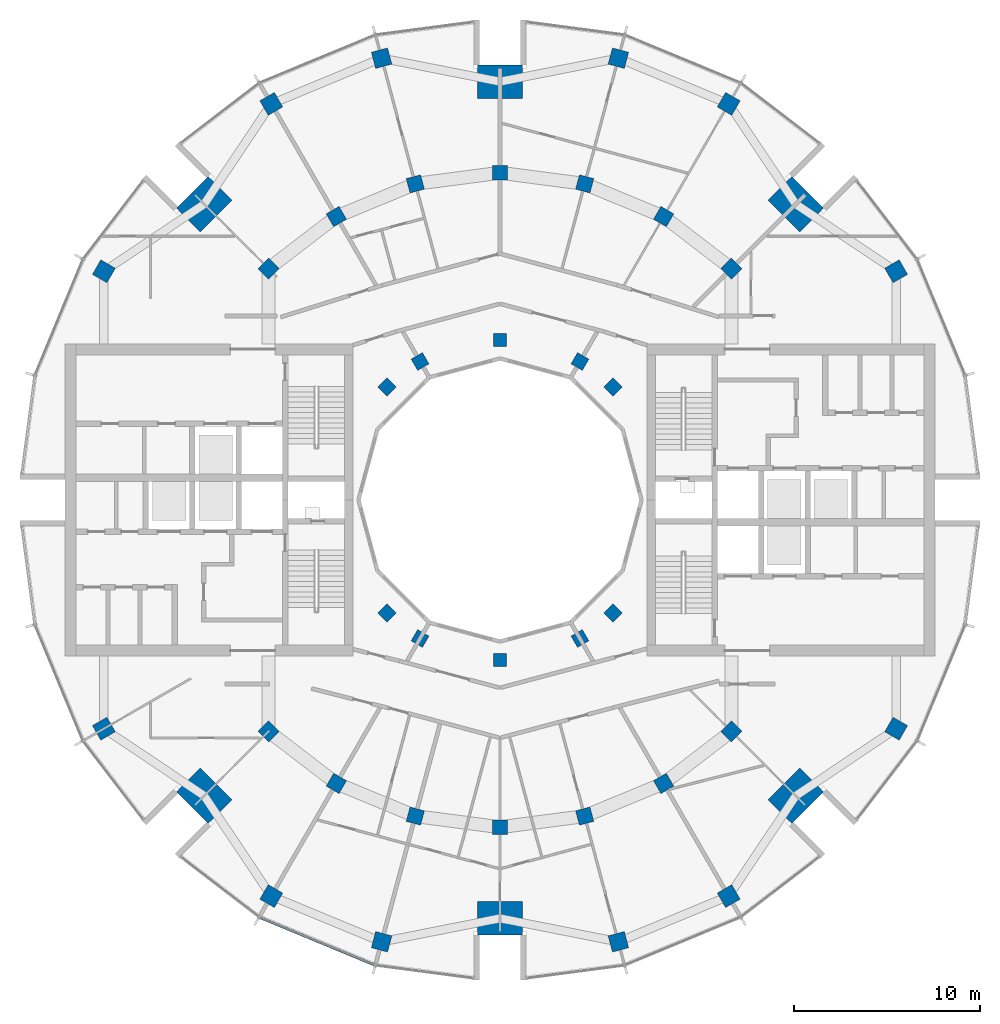
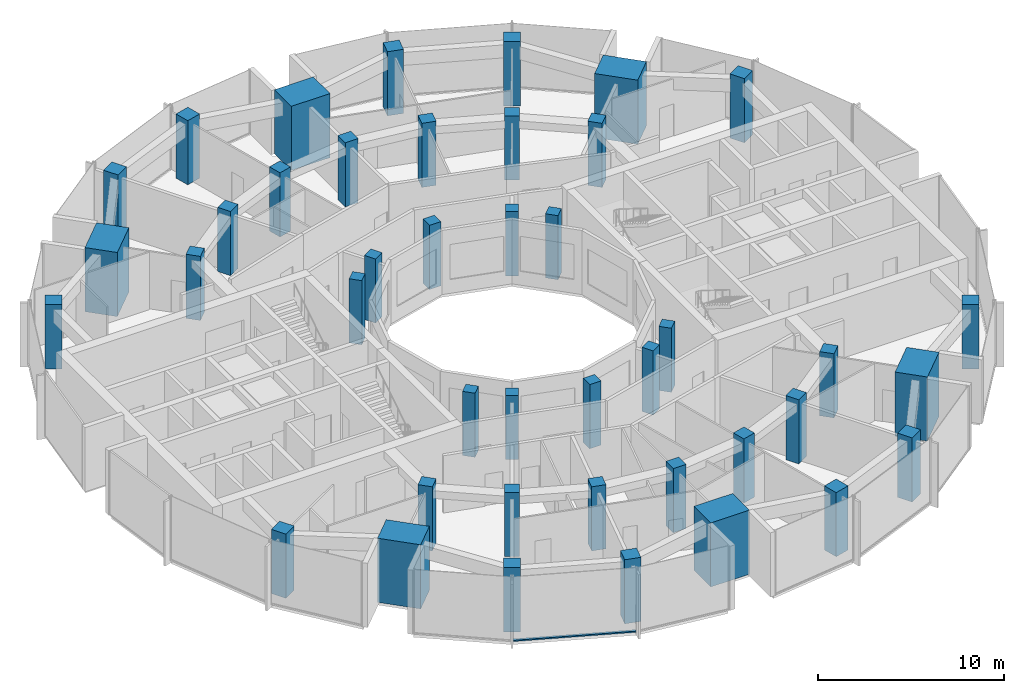
# One storey, part 1 of 15: 42 columns, 1 member, 1 element without a shape of its own.
"""IFC4 building model written with IfcOpenShell, lengths in metres."""

from ifc_helpers import new_model, si_unit, direction, frame, origin, origin_2d, place, context, subcontext, project, spatial, rectangle, extrude, material, layer, layer_set, material_profile, profile_set, type_object, element, aggregate, save


model = new_model("IFC4")

# Units and contexts
model_context = context("Model", 3, precision=1e-05, world=origin(), true_north=direction((0.0, 1.0)))
body_context = subcontext(model_context, "Body", "Model", "MODEL_VIEW")
ifc_project = project(units=[si_unit("LENGTHUNIT", "METRE"), si_unit("AREAUNIT", "SQUARE_METRE"), si_unit("VOLUMEUNIT", "CUBIC_METRE"), si_unit("PLANEANGLEUNIT", "RADIAN"), si_unit("MASSUNIT", "GRAM", prefix="KILO")], contexts=[model_context])

# Site, building, storey
site_placement = place(None, origin())
site = spatial("IfcSite", under=ifc_project, at=site_placement, CompositionType="ELEMENT")
building_placement = place(site_placement, origin())
building = spatial("IfcBuilding", under=site, at=building_placement, Name="Torre Brocal", CompositionType="ELEMENT")
storey_placement = place(building_placement, frame((0.0, 0.0, 216.699951171875)))
storey = spatial("IfcBuildingStorey", under=building, at=storey_placement, Name="L50", CompositionType="ELEMENT", Elevation=216.699951171875)

# Columns
ifc_material_1 = material(Name="Concrete C60", Category="concrete")
ifc_material_profile_1 = material_profile(ifc_material_1, rectangle(XDim=1.800048828125, YDim=2.39990234375, at=origin_2d()), Name="RC 1800X2400")
ifc_profile_set_1 = profile_set([ifc_material_profile_1], Name="Concrete C60")
column_type_1 = type_object("IfcColumnType", Name="RC COLUMN 1800X2400 C60", PredefinedType="COLUMN", material=ifc_profile_set_1)
for number, where, z_axis, x_axis, name in (
    (1, (95.909912109375, 90.909912109375, 0.0), (0.0, 0.0, 1.0), (0.707106781187, 0.707106781187, 0.0), "Column MC-1"),
    (2, (80.0, 97.5, 0.0), (0.0, 0.0, 1.0), (0.0, 1.0, 0.0), "Column MC-2"),
    (3, (64.090087890625, 90.909912109375, 0.0), (0.0, 0.0, 1.0), (-0.707106781187, 0.707106781187, 0.0), "Column MC-3"),
    (4, (64.090087890625, 59.090087890625, 0.0), (0.0, 0.0, 1.0), (-0.707106781187, -0.707106781187, 0.0), "Column MC-5"),
    (5, (80.0, 52.5, 0.0), (0.0, 0.0, 1.0), (0.0, -1.0, 0.0), "Column MC-6"),
    (6, (95.909912109375, 59.090087890625, 0.0), (0.0, 0.0, 1.0), (0.707106781187, -0.707106781187, 0.0), "Column MC-7"),
):
    element("IfcColumn", number, at=place(storey_placement, frame(where, z_axis=z_axis, x_axis=x_axis)), inside=storey, type_object=column_type_1, Name=name, PredefinedType="COLUMN", context=body_context, shape_type="SweptSolid", body=[
        extrude(rectangle(XDim=1.800048828125, YDim=2.39990234375, at=origin_2d()), origin(), (0.0, 0.0, 1.0), 4.199951171875),
    ])
ifc_material_2 = material(Name="Concrete C60", Category="concrete")
ifc_material_profile_2 = material_profile(ifc_material_2, rectangle(XDim=0.699951171875, YDim=0.699951171875, at=origin_2d()), Name="RC 700X700")
ifc_profile_set_2 = profile_set([ifc_material_profile_2], Name="Concrete C60")
column_type_2 = type_object("IfcColumnType", Name="RC COLUMN 700X700 C60", PredefinedType="COLUMN", material=ifc_profile_set_2)
for number, where, z_axis, x_axis, name in (
    (7, (86.0810546875, 81.0810546875, 0.0), (0.0, 0.0, 1.0), (0.707106781187, 0.707106781187, 0.0), "Column C-I03"),
    (8, (84.300048828125, 82.44775390625, 0.0), (0.0, 0.0, 1.0), (0.5, 0.866025403784, 0.0), "Column C-I04"),
    (9, (80.0, 83.60009765625, 0.0), (0.0, 0.0, 1.0), (0.0, 1.0, 0.0), "Column C-I06"),
    (10, (75.699951171875, 82.44775390625, 0.0), (0.0, 0.0, 1.0), (-0.5, 0.866025403784, 0.0), "Column C-I08"),
    (11, (73.9189453125, 81.0810546875, 0.0), (0.0, 0.0, 1.0), (-0.707106781187, 0.707106781187, 0.0), "Column C-I09"),
    (12, (73.9189453125, 68.9189453125, 0.0), (0.0, 0.0, 1.0), (-0.707106781187, -0.707106781187, 0.0), "Column C-I15"),
    (13, (75.699951171875, 67.55224609375, 0.0), (0.0, 0.0, 1.0), (-0.5, -0.866025403784, 0.0), "Column C-I16"),
    (14, (80.0, 66.39990234375, 0.0), (0.0, 0.0, 1.0), (0.0, -1.0, 0.0), "Column C-I18"),
    (15, (84.300048828125, 67.55224609375, 0.0), (0.0, 0.0, 1.0), (0.5, -0.866025403784, 0.0), "Column C-I20"),
    (16, (86.0810546875, 68.9189453125, 0.0), (0.0, 0.0, 1.0), (0.707106781187, -0.707106781187, 0.0), "Column C-I21"),
):
    element("IfcColumn", number, at=place(storey_placement, frame(where, z_axis=z_axis, x_axis=x_axis)), inside=storey, type_object=column_type_2, Name=name, PredefinedType="COLUMN", context=body_context, shape_type="SweptSolid", body=[
        extrude(rectangle(XDim=0.699951171875, YDim=0.699951171875, at=origin_2d()), origin(), (0.0, 0.0, 1.0), 4.199951171875),
    ])
ifc_material_3 = material(Name="Concrete C60", Category="concrete")
ifc_material_profile_3 = material_profile(ifc_material_3, rectangle(XDim=0.800048828125, YDim=0.800048828125, at=origin_2d()), Name="RC 800X800")
ifc_profile_set_3 = profile_set([ifc_material_profile_3], Name="Concrete C60")
column_type_3 = type_object("IfcColumnType", Name="RC COLUMN 800X800 C60", PredefinedType="COLUMN", material=ifc_profile_set_3)
for number, where, z_axis, x_axis, name in (
    (17, (92.445068359375, 87.445068359375, 0.0), (0.0, 0.0, 1.0), (0.707106781187, 0.707106781187, 0.0), "Column C-M03"),
    (18, (88.800048828125, 90.241943359375, 0.0), (0.0, 0.0, 1.0), (0.5, 0.866025403784, 0.0), "Column C-M04"),
    (19, (84.55517578125, 92.000244140625, 0.0), (0.0, 0.0, 1.0), (0.258819045103, 0.965925826289, 0.0), "Column C-M05"),
    (20, (80.0, 92.60009765625, 0.0), (0.0, 0.0, 1.0), (0.0, 1.0, 0.0), "Column C-M06"),
    (21, (75.44482421875, 92.000244140625, 0.0), (0.0, 0.0, 1.0), (-0.258819045103, 0.965925826289, 0.0), "Column C-M07"),
    (22, (71.199951171875, 90.241943359375, 0.0), (0.0, 0.0, 1.0), (-0.5, 0.866025403784, 0.0), "Column C-M08"),
    (23, (67.554931640625, 87.445068359375, 0.0), (0.0, 0.0, 1.0), (-0.707106781187, 0.707106781187, 0.0), "Column C-M09"),
    (24, (67.554931640625, 62.554931640625, 0.0), (0.0, 0.0, 1.0), (-0.707106781187, -0.707106781187, 0.0), "Column C-M15"),
    (25, (71.199951171875, 59.758056640625, 0.0), (0.0, 0.0, 1.0), (-0.5, -0.866025403784, 0.0), "Column C-M16"),
    (26, (75.44482421875, 57.999755859375, 0.0), (0.0, 0.0, 1.0), (-0.258819045103, -0.965925826289, 0.0), "Column C-M17"),
    (27, (80.0, 57.39990234375, 0.0), (0.0, 0.0, 1.0), (0.0, -1.0, 0.0), "Column C-M18"),
    (28, (84.55517578125, 57.999755859375, 0.0), (0.0, 0.0, 1.0), (0.258819045103, -0.965925826289, 0.0), "Column C-M19"),
    (29, (88.800048828125, 59.758056640625, 0.0), (0.0, 0.0, 1.0), (0.5, -0.866025403784, 0.0), "Column C-M20"),
    (30, (92.445068359375, 62.554931640625, 0.0), (0.0, 0.0, 1.0), (0.707106781187, -0.707106781187, 0.0), "Column C-M21"),
):
    element("IfcColumn", number, at=place(storey_placement, frame(where, z_axis=z_axis, x_axis=x_axis)), inside=storey, type_object=column_type_3, Name=name, PredefinedType="COLUMN", context=body_context, shape_type="SweptSolid", body=[
        extrude(rectangle(XDim=0.800048828125, YDim=0.800048828125, at=origin_2d()), origin(), (0.0, 0.0, 1.0), 4.199951171875),
    ])
ifc_material_4 = material(Name="Concrete C60", Category="concrete")
ifc_material_profile_4 = material_profile(ifc_material_4, rectangle(XDim=0.89990234375, YDim=0.89990234375, at=origin_2d()), Name="RC 900X900")
ifc_profile_set_4 = profile_set([ifc_material_profile_4], Name="Concrete C60")
column_type_4 = type_object("IfcColumnType", Name="RC COLUMN 900X900 C60", PredefinedType="COLUMN", material=ifc_profile_set_4)
for number, where, z_axis, x_axis, name in (
    (31, (101.30419921875, 87.300048828125, 0.0), (0.0, 0.0, 1.0), (0.866025403784, 0.5, 0.0), "Column C-O02"),
    (32, (92.300048828125, 96.30419921875, 0.0), (0.0, 0.0, 1.0), (0.5, 0.866025403784, 0.0), "Column C-O04"),
    (33, (86.366943359375, 98.76171875, 0.0), (0.0, 0.0, 1.0), (0.258819045103, 0.965925826289, 0.0), "Column C-O05"),
    (34, (73.633056640625, 98.76171875, 0.0), (0.0, 0.0, 1.0), (-0.258819045103, 0.965925826289, 0.0), "Column C-O07"),
    (35, (67.699951171875, 96.30419921875, 0.0), (0.0, 0.0, 1.0), (-0.5, 0.866025403784, 0.0), "Column C-O08"),
    (36, (58.69580078125, 87.300048828125, 0.0), (0.0, 0.0, 1.0), (-0.866025403784, 0.5, 0.0), "Column C-O10"),
    (37, (58.69580078125, 62.699951171875, 0.0), (0.0, 0.0, 1.0), (-0.866025403784, -0.5, 0.0), "Column C-O14"),
    (38, (67.699951171875, 53.69580078125, 0.0), (0.0, 0.0, 1.0), (-0.5, -0.866025403784, 0.0), "Column C-O16"),
    (39, (73.633056640625, 51.23828125, 0.0), (0.0, 0.0, 1.0), (-0.258819045103, -0.965925826289, 0.0), "Column C-O17"),
    (40, (86.366943359375, 51.23828125, 0.0), (0.0, 0.0, 1.0), (0.258819045103, -0.965925826289, 0.0), "Column C-O19"),
    (41, (92.300048828125, 53.69580078125, 0.0), (0.0, 0.0, 1.0), (0.5, -0.866025403784, 0.0), "Column C-O20"),
    (42, (101.30419921875, 62.699951171875, 0.0), (0.0, 0.0, 1.0), (0.866025403784, -0.5, 0.0), "Column C-O22"),
):
    element("IfcColumn", number, at=place(storey_placement, frame(where, z_axis=z_axis, x_axis=x_axis)), inside=storey, type_object=column_type_4, Name=name, PredefinedType="COLUMN", context=body_context, shape_type="SweptSolid", body=[
        extrude(rectangle(XDim=0.89990234375, YDim=0.89990234375, at=origin_2d()), origin(), (0.0, 0.0, 1.0), 4.199951171875),
    ])

# Curtain wall, member
ifc_material_5 = material(Name="Aluminium and glass", Category="aluminium")
ifc_layer = layer(ifc_material_5, 0.199951171875)
ifc_layer_set = layer_set([ifc_layer], Name="Aluminium and glass")
curtain_wall_type = type_object("IfcCurtainWallType", Name="CW-1 CURTAIN WALL 4200 HIGH", PredefinedType="NOTDEFINED", material=ifc_layer_set)
curtain_wall_placement = place(storey_placement, origin())
curtain_wall = element("IfcCurtainWall", 43, at=curtain_wall_placement, inside=storey, type_object=curtain_wall_type, Name="CW-1 RUN 17", PredefinedType="NOTDEFINED")
ifc_material_6 = material(Name="Aluminium, dark anodised", Category="aluminium")
ifc_material_profile_5 = material_profile(ifc_material_6, rectangle(XDim=0.159912109375, YDim=0.080078125, at=origin_2d()), Name="CW-1 TRANSOM 160X80")
ifc_profile_set_5 = profile_set([ifc_material_profile_5], Name="Aluminium, dark anodised")
member_type = type_object("IfcMemberType", Name="CW-1 TRANSOM 160X80", PredefinedType="USERDEFINED", material=ifc_profile_set_5)
member_placement = place(storey_placement, frame((67.10595703125, 52.547607421875, 0.0400390625), z_axis=(0.923887344364, -0.38266457234, 0.0), x_axis=(0.38266457234, 0.923887344364, 0.0)))
member = element("IfcMember", 44, at=member_placement, type_object=member_type, Name="CW1-5 transom 1.1", ObjectType="TRANSOM", PredefinedType="USERDEFINED", context=body_context, shape_type="SweptSolid", body=[
    extrude(rectangle(XDim=0.159912109375, YDim=0.080078125, at=origin_2d()), origin(), (0.0, 0.0, 1.0), 6.640869140625),
])
aggregate(curtain_wall, [member])

save(model, "model.ifc")
